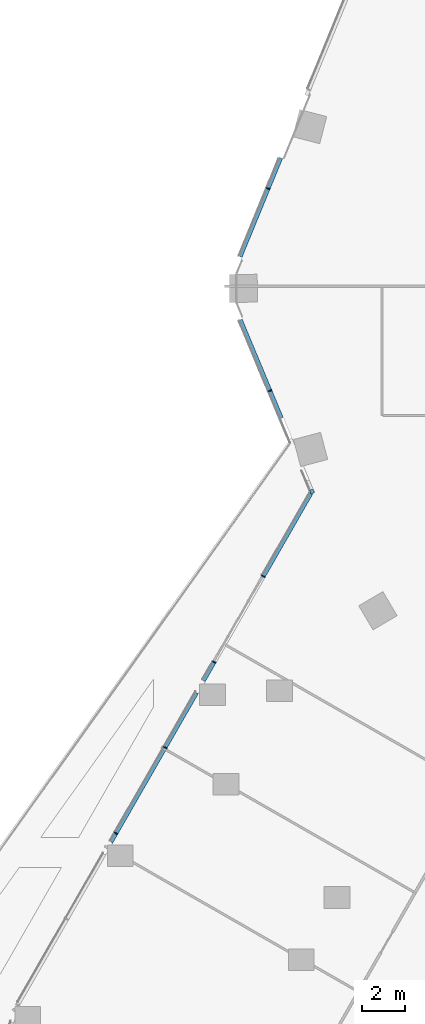
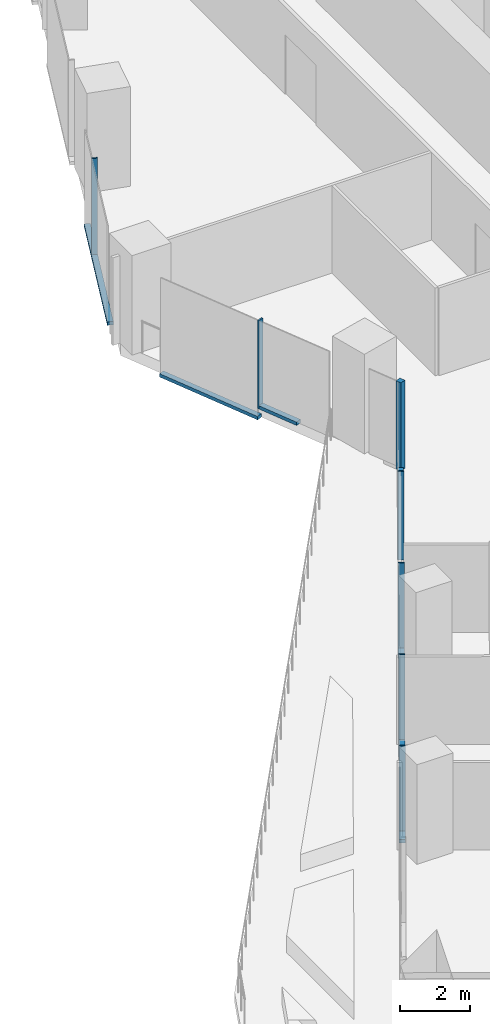
# One storey, part 6 of 34: 13 members, 3 elements without a shape of their own.
"""IFC4 building model written with IfcOpenShell, lengths in metres."""

from ifc_helpers import new_model, si_unit, direction, frame, origin, origin_2d, place, context, subcontext, project, spatial, rectangle, extrude, material, material_profile, profile_set, type_object, element, aggregate, save


model = new_model("IFC4")

# Units and contexts
model_context = context("Model", 3, precision=1e-05, world=origin(), true_north=direction((0.0, 1.0)))
body_context = subcontext(model_context, "Body", "Model", "MODEL_VIEW")
ifc_project = project(units=[si_unit("LENGTHUNIT", "METRE"), si_unit("AREAUNIT", "SQUARE_METRE"), si_unit("VOLUMEUNIT", "CUBIC_METRE"), si_unit("PLANEANGLEUNIT", "RADIAN"), si_unit("MASSUNIT", "GRAM", prefix="KILO")], contexts=[model_context])

# Site, building, storey
site_placement = place(None, origin())
site = spatial("IfcSite", under=ifc_project, at=site_placement, CompositionType="ELEMENT")
building_placement = place(site_placement, origin())
building = spatial("IfcBuilding", under=site, at=building_placement, Name="Orlundy Tower", CompositionType="ELEMENT")
storey_placement = place(building_placement, frame((0.0, 0.0, 102.199951171875)))
storey = spatial("IfcBuildingStorey", under=building, at=storey_placement, Name="L25", CompositionType="ELEMENT", Elevation=102.199951171875)

# Curtain wall, member
ifc_material_1 = material(Name="Aluminium bronze anodised", Category="aluminium")
curtain_wall_type = type_object("IfcCurtainWallType", Name="CW1 wall", PredefinedType="NOTDEFINED", material=ifc_material_1)
curtain_wall_1_placement = place(storey_placement, origin())
curtain_wall_1 = element("IfcCurtainWall", 1, at=curtain_wall_1_placement, inside=storey, type_object=curtain_wall_type, Name="CW1 run 013", PredefinedType="NOTDEFINED")
ifc_material_2 = material(Name="Aluminium bronze anodised", Category="aluminium")
ifc_material_profile_1 = material_profile(ifc_material_2, rectangle(XDim=0.179931640625, YDim=0.179931640625, at=origin_2d()), Name="CW1 corner post 180x180")
ifc_profile_set_1 = profile_set([ifc_material_profile_1], Name="Aluminium bronze anodised")
member_type_1 = type_object("IfcMemberType", Name="CW1 corner post 180x180", PredefinedType="MULLION", material=ifc_profile_set_1)
member_1_placement = place(storey_placement, frame((-28.627197265625, -9.53466796875, 0.0), z_axis=(0.0, 0.0, 1.0), x_axis=(-0.922773195223, -0.385343522299, 0.0)))
member_1 = element("IfcMember", 2, at=member_1_placement, type_object=member_type_1, Name="CW1 mullion 32", PredefinedType="MULLION", context=body_context, shape_type="SweptSolid", body=[
    extrude(rectangle(XDim=0.179931640625, YDim=0.179931640625, at=origin_2d()), origin(), (0.0, 0.0, 1.0), 3.10009765625),
])

# Curtain wall, members
curtain_wall_2_placement = place(storey_placement, origin())
curtain_wall_2 = element("IfcCurtainWall", 3, at=curtain_wall_2_placement, inside=storey, type_object=curtain_wall_type, Name="CW1 run 012", PredefinedType="NOTDEFINED")
ifc_material_3 = material(Name="Aluminium bronze anodised", Category="aluminium")
ifc_material_profile_2 = material_profile(ifc_material_3, rectangle(XDim=0.179931640625, YDim=0.050048828125, at=origin_2d()), Name="CW1 mullion 50x180")
ifc_profile_set_2 = profile_set([ifc_material_profile_2], Name="Aluminium bronze anodised")
member_type_2 = type_object("IfcMemberType", Name="CW1 mullion 50x180", PredefinedType="MULLION", material=ifc_profile_set_2)
member_2_placement = place(storey_placement, frame((-37.73583984375, -25.418212890625, 0.0), z_axis=(0.0, 0.0, 1.0), x_axis=(-0.867482152182, 0.497468306172, 0.0)))
member_2 = element("IfcMember", 4, at=member_2_placement, type_object=member_type_2, Name="CW1 mullion 28", PredefinedType="MULLION", context=body_context, shape_type="SweptSolid", body=[
    extrude(rectangle(XDim=0.179931640625, YDim=0.050048828125, at=origin_2d()), origin(), (0.0, 0.0, 1.0), 3.10009765625),
])
member_3_placement = place(storey_placement, frame((-35.453125, -21.437744140625, 0.0), z_axis=(0.0, 0.0, 1.0), x_axis=(-0.867482152182, 0.497468306172, 0.0)))
member_3 = element("IfcMember", 5, at=member_3_placement, type_object=member_type_2, Name="CW1 mullion 29", PredefinedType="MULLION", context=body_context, shape_type="SweptSolid", body=[
    extrude(rectangle(XDim=0.179931640625, YDim=0.050048828125, at=origin_2d()), origin(), (0.0, 0.0, 1.0), 3.10009765625),
])
member_4_placement = place(storey_placement, frame((-33.17041015625, -17.457275390625, 0.0), z_axis=(0.0, 0.0, 1.0), x_axis=(-0.867482152182, 0.497468306172, 0.0)))
member_4 = element("IfcMember", 6, at=member_4_placement, type_object=member_type_2, Name="CW1 mullion 30", PredefinedType="MULLION", context=body_context, shape_type="SweptSolid", body=[
    extrude(rectangle(XDim=0.179931640625, YDim=0.050048828125, at=origin_2d()), origin(), (0.0, 0.0, 1.0), 3.10009765625),
])
member_5_placement = place(storey_placement, frame((-30.8876953125, -13.476806640625, 0.0), z_axis=(0.0, 0.0, 1.0), x_axis=(-0.867482152182, 0.497468306172, 0.0)))
member_5 = element("IfcMember", 7, at=member_5_placement, type_object=member_type_2, Name="CW1 mullion 31", PredefinedType="MULLION", context=body_context, shape_type="SweptSolid", body=[
    extrude(rectangle(XDim=0.179931640625, YDim=0.050048828125, at=origin_2d()), origin(), (0.0, 0.0, 1.0), 3.10009765625),
])

# Member
member_6_placement = place(storey_placement, frame((-30.58251953125, -4.852294921875, 0.0), z_axis=(0.0, 0.0, 1.0), x_axis=(-0.922773195223, -0.385343522299, 0.0)))
member_6 = element("IfcMember", 8, at=member_6_placement, type_object=member_type_2, Name="CW1 mullion 33", PredefinedType="MULLION", context=body_context, shape_type="SweptSolid", body=[
    extrude(rectangle(XDim=0.179931640625, YDim=0.050048828125, at=origin_2d()), origin(), (0.0, 0.0, 1.0), 3.10009765625),
])

# Curtain wall, member
curtain_wall_3_placement = place(storey_placement, origin())
curtain_wall_3 = element("IfcCurtainWall", 9, at=curtain_wall_3_placement, inside=storey, type_object=curtain_wall_type, Name="CW1 run 014", PredefinedType="NOTDEFINED")
member_7_placement = place(storey_placement, frame((-30.66650390625, 4.537841796875, -0.39990234375), z_axis=(0.0, 0.0, 1.0), x_axis=(-0.924984462277, 0.380004927003, 0.0)))
member_7 = element("IfcMember", 10, at=member_7_placement, type_object=member_type_2, Name="CW1 mullion 35", PredefinedType="MULLION", context=body_context, shape_type="SweptSolid", body=[
    extrude(rectangle(XDim=0.179931640625, YDim=0.050048828125, at=origin_2d()), origin(), (0.0, 0.0, 1.0), 3.5),
])

# Member
ifc_material_4 = material(Name="Aluminium bronze anodised", Category="aluminium")
ifc_material_profile_3 = material_profile(ifc_material_4, rectangle(XDim=0.179931640625, YDim=0.1201171875, at=origin_2d()), Name="CW1 transom 180x120")
ifc_profile_set_3 = profile_set([ifc_material_profile_3], Name="Aluminium bronze anodised")
member_type_3 = type_object("IfcMemberType", Name="CW1 transom 180x120", PredefinedType="USERDEFINED", material=ifc_profile_set_3)
member_8_placement = place(storey_placement, frame((-37.96337890625, -25.81494140625, 0.06005859375), z_axis=(0.497476885388, 0.867477232269, 0.0), x_axis=(-0.867477232269, 0.497476885388, 0.0)))
member_8 = element("IfcMember", 11, at=member_8_placement, type_object=member_type_3, Name="CW1 transom", ObjectType="TRANSOM", PredefinedType="USERDEFINED", context=body_context, shape_type="SweptSolid", body=[
    extrude(rectangle(XDim=0.179931640625, YDim=0.1201171875, at=origin_2d()), origin(), (0.0, 0.0, 1.0), 7.974853515625),
])

member_9_placement = place(storey_placement, frame((-33.668701171875, -18.325927734375, 0.06005859375), z_axis=(0.497592358603, 0.867411001002, 0.0), x_axis=(-0.867411001002, 0.497592358603, 0.0)))
member_9 = element("IfcMember", 12, at=member_9_placement, type_object=member_type_3, Name="CW1 transom", ObjectType="TRANSOM", PredefinedType="USERDEFINED", context=body_context, shape_type="SweptSolid", body=[
    extrude(rectangle(XDim=0.179931640625, YDim=0.1201171875, at=origin_2d()), origin(), (0.0, 0.0, 1.0), 0.976318359375),
])

member_10_placement = place(storey_placement, frame((-30.875244140625, -13.455078125, 0.06005859375), z_axis=(0.497445277893, 0.867495357626, 0.0), x_axis=(-0.867495357626, 0.497445277893, 0.0)))
member_10 = element("IfcMember", 13, at=member_10_placement, type_object=member_type_3, Name="CW1 transom", ObjectType="TRANSOM", PredefinedType="USERDEFINED", context=body_context, shape_type="SweptSolid", body=[
    extrude(rectangle(XDim=0.179931640625, YDim=0.1201171875, at=origin_2d()), origin(), (0.0, 0.0, 1.0), 4.40576171875),
])

aggregate(curtain_wall_2, [member_2, member_3, member_4, member_5, member_8, member_9, member_10])

member_11_placement = place(storey_placement, frame((-30.0478515625, -6.13232421875, 0.06005859375), z_axis=(-0.38546776496, 0.922721302548, 0.0), x_axis=(-0.922721302548, -0.38546776496, 0.0)))
member_11 = element("IfcMember", 14, at=member_11_placement, type_object=member_type_3, Name="CW1 transom", ObjectType="TRANSOM", PredefinedType="USERDEFINED", context=body_context, shape_type="SweptSolid", body=[
    extrude(rectangle(XDim=0.179931640625, YDim=0.1201171875, at=origin_2d()), origin(), (0.0, 0.0, 1.0), 1.3623046875),
])

member_12_placement = place(storey_placement, frame((-30.59228515625, -4.8291015625, -0.33984375), z_axis=(-0.385339163626, 0.922775015362, 0.0), x_axis=(-0.922775015362, -0.385339163626, 0.0)))
member_12 = element("IfcMember", 15, at=member_12_placement, type_object=member_type_3, Name="CW1 transom", ObjectType="TRANSOM", PredefinedType="USERDEFINED", context=body_context, shape_type="SweptSolid", body=[
    extrude(rectangle(XDim=0.179931640625, YDim=0.1201171875, at=origin_2d()), origin(), (0.0, 0.0, 1.0), 3.544189453125),
])

aggregate(curtain_wall_1, [member_1, member_6, member_11, member_12])

member_13_placement = place(storey_placement, frame((-31.966796875, 1.37255859375, -0.33984375), z_axis=(0.379987973057, 0.924991427167, 0.0), x_axis=(-0.924991427167, 0.379987973057, 0.0)))
member_13 = element("IfcMember", 16, at=member_13_placement, type_object=member_type_3, Name="CW1 transom", ObjectType="TRANSOM", PredefinedType="USERDEFINED", context=body_context, shape_type="SweptSolid", body=[
    extrude(rectangle(XDim=0.179931640625, YDim=0.1201171875, at=origin_2d()), origin(), (0.0, 0.0, 1.0), 4.965087890625),
])

aggregate(curtain_wall_3, [member_7, member_13])

save(model, "model.ifc")
